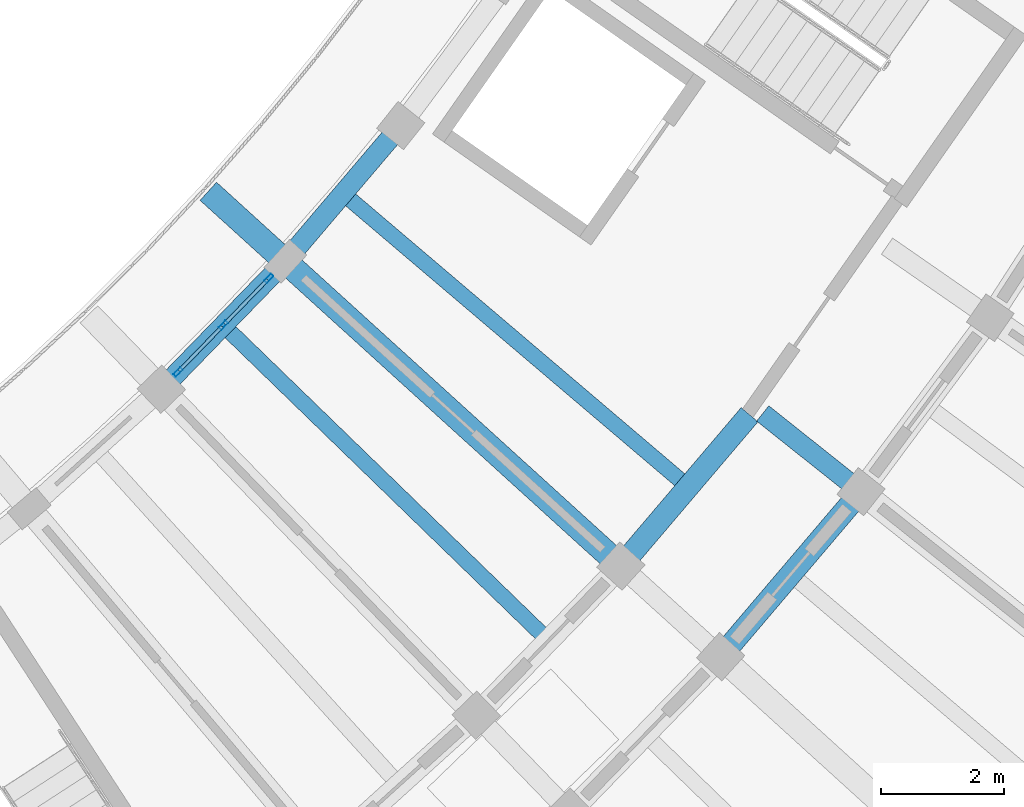
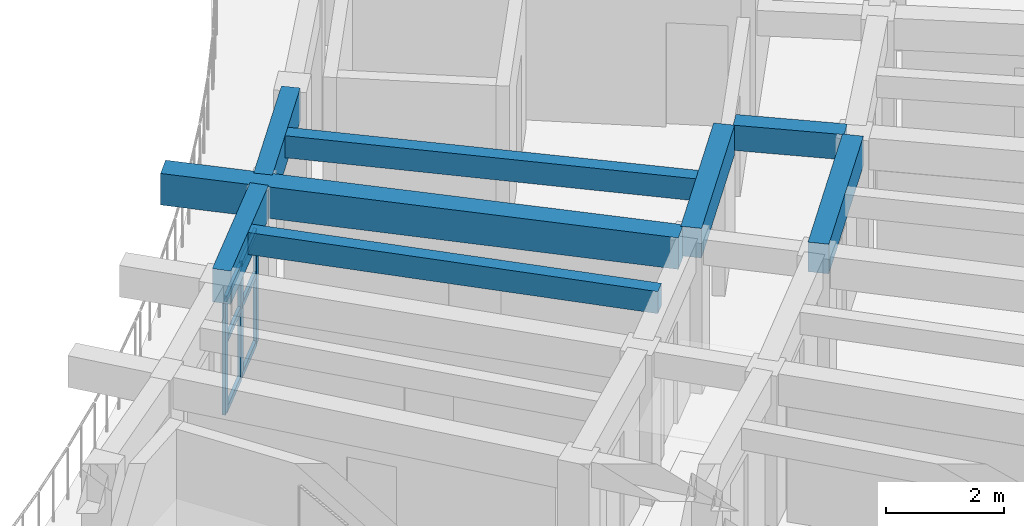
# One storey, part 29 of 96: 9 members, 8 beams, 1 element without a shape of its own.
"""IFC4 building model written with IfcOpenShell, lengths in metres."""

from ifc_helpers import new_model, si_unit, direction, frame, origin, origin_2d, place, context, subcontext, project, spatial, rectangle, hollow_rectangle, extrude, material, material_profile, profile_set, type_object, element, aggregate, save


model = new_model("IFC4")

# Units and contexts
model_context = context("Model", 3, precision=1e-05, world=origin(), true_north=direction((0.0, 1.0)))
body_context = subcontext(model_context, "Body", "Model", "MODEL_VIEW")
ifc_project = project(units=[si_unit("LENGTHUNIT", "METRE"), si_unit("AREAUNIT", "SQUARE_METRE"), si_unit("VOLUMEUNIT", "CUBIC_METRE"), si_unit("PLANEANGLEUNIT", "RADIAN"), si_unit("MASSUNIT", "GRAM", prefix="KILO")], contexts=[model_context])

# Site, building, storey
site_placement = place(None, origin())
site = spatial("IfcSite", under=ifc_project, at=site_placement, CompositionType="ELEMENT")
building_placement = place(site_placement, origin())
building = spatial("IfcBuilding", under=site, at=building_placement, Name="Tanwirah Colonnade Gardens", CompositionType="ELEMENT")
storey_placement = place(building_placement, frame((0.0, 0.0, 12.199951171875)))
storey = spatial("IfcBuildingStorey", under=building, at=storey_placement, Name="L03", CompositionType="ELEMENT", Elevation=12.199951171875)

# Beams
ifc_material_1 = material(Name="Precast concrete C40/50", Category="concrete")
ifc_material_profile_1 = material_profile(ifc_material_1, rectangle(XDim=0.360107421875, YDim=0.610107421875, at=origin_2d()), Name="PC-BM 360x610")
ifc_profile_set_1 = profile_set([ifc_material_profile_1], Name="Precast concrete C40/50")
beam_type_1 = type_object("IfcBeamType", Name="BM-PC300", PredefinedType="BEAM", material=ifc_profile_set_1)
beam_1_placement = place(storey_placement, frame((159.4775390625, 29.751953125, 2.800048828125), z_axis=(0.647730901566, 0.761869200819, 0.0), x_axis=(-0.761869200819, 0.647730901566, 0.0)))
element("IfcBeam", 1, at=beam_1_placement, inside=storey, type_object=beam_type_1, Name="Block D L03 Circumferential Beam 9-R1", PredefinedType="BEAM", context=body_context, shape_type="SweptSolid", body=[
    extrude(rectangle(XDim=0.360107421875, YDim=0.610107421875, at=origin_2d()), origin(), (0.0, 0.0, 1.0), 3.093017578125),
])
beam_2_placement = place(storey_placement, frame((161.10595703125, 28.27294921875, 2.800048828125), z_axis=(0.6478235549, 0.761790418499, 0.0), x_axis=(-0.761790418499, 0.6478235549, 0.0)))
element("IfcBeam", 2, at=beam_2_placement, inside=storey, type_object=beam_type_1, Name="Block D L03 Circumferential Beam 9-R2", PredefinedType="BEAM", context=body_context, shape_type="SweptSolid", body=[
    extrude(rectangle(XDim=0.360107421875, YDim=0.610107421875, at=origin_2d()), origin(), (0.0, 0.0, 1.0), 3.23681640625),
])
ifc_material_profile_2 = material_profile(ifc_material_1, rectangle(XDim=0.320068359375, YDim=0.52001953125, at=origin_2d()), Name="PC-BM 320x520")
ifc_profile_set_2 = profile_set([ifc_material_profile_2], Name="Precast concrete C40/50")
beam_type_2 = type_object("IfcBeamType", Name="BM-PC320", PredefinedType="BEAM", material=ifc_profile_set_2)
beam_3_placement = place(storey_placement, frame((161.695556640625, 32.129150390625, 2.844970703125), z_axis=(0.782670764896, -0.622435919415, 0.0), x_axis=(0.622435919415, 0.782670764896, 0.0)))
element("IfcBeam", 3, at=beam_3_placement, inside=storey, type_object=beam_type_2, Name="Block D L03 Corridor Tie Beam 10", PredefinedType="BEAM", context=body_context, shape_type="SweptSolid", body=[
    extrude(rectangle(XDim=0.320068359375, YDim=0.52001953125, at=origin_2d()), origin(), (0.0, 0.0, 1.0), 1.89990234375),
])
ifc_material_2 = material(Name="Precast concrete C45/55", Category="concrete")
ifc_material_profile_3 = material_profile(ifc_material_2, rectangle(XDim=0.39990234375, YDim=0.64990234375, at=origin_2d()), Name="PC-BM 400x650")
ifc_profile_set_3 = profile_set([ifc_material_profile_3], Name="Precast concrete C45/55")
beam_type_3 = type_object("IfcBeamType", Name="BM-PC400", PredefinedType="BEAM", material=ifc_profile_set_3)
beam_4_placement = place(storey_placement, frame((159.269287109375, 29.738525390625, 2.780029296875), z_axis=(-0.740212791446, 0.672372681911, 0.0), x_axis=(-0.672372681911, -0.740212791446, 0.0)))
element("IfcBeam", 4, at=beam_4_placement, inside=storey, type_object=beam_type_3, Name="Block D L03 Inner Radial Precast Girder 9", PredefinedType="BEAM", context=body_context, shape_type="SweptSolid", body=[
    extrude(rectangle(XDim=0.39990234375, YDim=0.64990234375, at=origin_2d()), origin(), (0.0, 0.0, 1.0), 8.9501953125),
])

# Curtain wall, members
ifc_material_3 = material(Name="Bronze-anodised aluminium and solar-control low-E glass", Category="aluminium")
curtain_wall_type = type_object("IfcCurtainWallType", Name="CW-GDN", PredefinedType="NOTDEFINED", material=ifc_material_3)
curtain_wall_placement = place(storey_placement, origin())
curtain_wall = element("IfcCurtainWall", 5, at=curtain_wall_placement, inside=storey, type_object=curtain_wall_type, Name="Curtain Wall CW-D-L03-IN-08", PredefinedType="NOTDEFINED")
ifc_material_4 = material(Name="Bronze-anodised aluminium", Category="aluminium")
ifc_material_profile_4 = material_profile(ifc_material_4, hollow_rectangle(XDim=0.06005859375, YDim=0.159912109375, WallThickness=0.00390625, at=origin_2d()), Name="CW-MUL 60x160x4")
ifc_profile_set_4 = profile_set([ifc_material_profile_4], Name="Bronze-anodised aluminium")
member_type_1 = type_object("IfcMemberType", Name="CWM-60x160", PredefinedType="MULLION", material=ifc_profile_set_4)
member_1_placement = place(storey_placement, frame((152.149169921875, 32.80517578125, 0.0), z_axis=(0.0, 0.0, 1.0), x_axis=(-0.717825107678, 0.696223466127, 0.0)))
member_1 = element("IfcMember", 6, at=member_1_placement, type_object=member_type_1, Name="CW-GDN mullion 1", PredefinedType="MULLION", context=body_context, shape_type="SweptSolid", body=[
    extrude(hollow_rectangle(XDim=0.06005859375, YDim=0.159912109375, WallThickness=0.00390625, at=origin_2d()), origin(), (0.0, 0.0, 1.0), 2.35498046875),
])
member_2_placement = place(storey_placement, frame((152.89013671875, 33.5693359375, 0.0), z_axis=(0.0, 0.0, 1.0), x_axis=(-0.717825107678, 0.696223466127, 0.0)))
member_2 = element("IfcMember", 7, at=member_2_placement, type_object=member_type_1, Name="CW-GDN mullion 2", PredefinedType="MULLION", context=body_context, shape_type="SweptSolid", body=[
    extrude(hollow_rectangle(XDim=0.06005859375, YDim=0.159912109375, WallThickness=0.00390625, at=origin_2d()), origin(), (0.0, 0.0, 1.0), 2.35498046875),
])
member_3_placement = place(storey_placement, frame((153.631103515625, 34.333251953125, 0.0), z_axis=(0.0, 0.0, 1.0), x_axis=(-0.717825107678, 0.696223466127, 0.0)))
member_3 = element("IfcMember", 8, at=member_3_placement, type_object=member_type_1, Name="CW-GDN mullion 3", PredefinedType="MULLION", context=body_context, shape_type="SweptSolid", body=[
    extrude(hollow_rectangle(XDim=0.06005859375, YDim=0.159912109375, WallThickness=0.00390625, at=origin_2d()), origin(), (0.0, 0.0, 1.0), 2.35498046875),
])
ifc_material_profile_5 = material_profile(ifc_material_4, hollow_rectangle(XDim=0.06005859375, YDim=0.1201171875, WallThickness=0.00390625, at=origin_2d()), Name="CW-TRN 60x120x4")
ifc_profile_set_5 = profile_set([ifc_material_profile_5], Name="Bronze-anodised aluminium")
member_type_2 = type_object("IfcMemberType", Name="CWT-60x120", PredefinedType="USERDEFINED", material=ifc_profile_set_5)
member_4_placement = place(storey_placement, frame((152.169921875, 32.826904296875, 0.030029296875), z_axis=(0.696206577043, 0.717841488131, 0.0), x_axis=(-0.717841488131, 0.696206577043, 0.0)))
member_4 = element("IfcMember", 9, at=member_4_placement, type_object=member_type_2, Name="CW-GDN transom 1.1", ObjectType="TRANSOM", PredefinedType="USERDEFINED", context=body_context, shape_type="SweptSolid", body=[
    extrude(hollow_rectangle(XDim=0.06005859375, YDim=0.1201171875, WallThickness=0.00390625, at=origin_2d()), origin(), (0.0, 0.0, 1.0), 1.00439453125),
])
member_5_placement = place(storey_placement, frame((152.169921875, 32.826904296875, 1.460205078125), z_axis=(0.696206577043, 0.717841488131, 0.0), x_axis=(-0.717841488131, 0.696206577043, 0.0)))
member_5 = element("IfcMember", 10, at=member_5_placement, type_object=member_type_2, Name="CW-GDN transom 1.2", ObjectType="TRANSOM", PredefinedType="USERDEFINED", context=body_context, shape_type="SweptSolid", body=[
    extrude(hollow_rectangle(XDim=0.06005859375, YDim=0.1201171875, WallThickness=0.00390625, at=origin_2d()), origin(), (0.0, 0.0, 1.0), 1.00439453125),
])
member_6_placement = place(storey_placement, frame((152.169921875, 32.826904296875, 2.324951171875), z_axis=(0.696206577043, 0.717841488131, 0.0), x_axis=(-0.717841488131, 0.696206577043, 0.0)))
member_6 = element("IfcMember", 11, at=member_6_placement, type_object=member_type_2, Name="CW-GDN transom 1.3", ObjectType="TRANSOM", PredefinedType="USERDEFINED", context=body_context, shape_type="SweptSolid", body=[
    extrude(hollow_rectangle(XDim=0.06005859375, YDim=0.1201171875, WallThickness=0.00390625, at=origin_2d()), origin(), (0.0, 0.0, 1.0), 1.00439453125),
])
member_7_placement = place(storey_placement, frame((152.9111328125, 33.5908203125, 0.030029296875), z_axis=(0.696206577043, 0.717841488131, 0.0), x_axis=(-0.717841488131, 0.696206577043, 0.0)))
member_7 = element("IfcMember", 12, at=member_7_placement, type_object=member_type_2, Name="CW-GDN transom 2.1", ObjectType="TRANSOM", PredefinedType="USERDEFINED", context=body_context, shape_type="SweptSolid", body=[
    extrude(hollow_rectangle(XDim=0.06005859375, YDim=0.1201171875, WallThickness=0.00390625, at=origin_2d()), origin(), (0.0, 0.0, 1.0), 1.00439453125),
])
member_8_placement = place(storey_placement, frame((152.9111328125, 33.5908203125, 1.460205078125), z_axis=(0.696206577043, 0.717841488131, 0.0), x_axis=(-0.717841488131, 0.696206577043, 0.0)))
member_8 = element("IfcMember", 13, at=member_8_placement, type_object=member_type_2, Name="CW-GDN transom 2.2", ObjectType="TRANSOM", PredefinedType="USERDEFINED", context=body_context, shape_type="SweptSolid", body=[
    extrude(hollow_rectangle(XDim=0.06005859375, YDim=0.1201171875, WallThickness=0.00390625, at=origin_2d()), origin(), (0.0, 0.0, 1.0), 1.00439453125),
])
member_9_placement = place(storey_placement, frame((152.9111328125, 33.5908203125, 2.324951171875), z_axis=(0.696206577043, 0.717841488131, 0.0), x_axis=(-0.717841488131, 0.696206577043, 0.0)))
member_9 = element("IfcMember", 14, at=member_9_placement, type_object=member_type_2, Name="CW-GDN transom 2.3", ObjectType="TRANSOM", PredefinedType="USERDEFINED", context=body_context, shape_type="SweptSolid", body=[
    extrude(hollow_rectangle(XDim=0.06005859375, YDim=0.1201171875, WallThickness=0.00390625, at=origin_2d()), origin(), (0.0, 0.0, 1.0), 1.00439453125),
])
aggregate(curtain_wall, [member_1, member_2, member_3, member_4, member_5, member_6, member_7, member_8, member_9])

# Beams
ifc_material_profile_6 = material_profile(ifc_material_1, rectangle(XDim=0.2548828125, YDim=0.455078125, at=origin_2d()), Name="PC-JST 255x455")
ifc_profile_set_6 = profile_set([ifc_material_profile_6], Name="Precast concrete C40/50")
beam_type_4 = type_object("IfcBeamType", Name="JST-PC240", PredefinedType="JOIST", material=ifc_profile_set_6)
beam_5_placement = place(storey_placement, frame((152.993408203125, 33.46923828125, 2.87744140625), z_axis=(0.717816218075, -0.69623263143, 0.0), x_axis=(0.69623263143, 0.717816218075, 0.0)))
element("IfcBeam", 15, at=beam_5_placement, inside=storey, type_object=beam_type_4, Name="Block D L03 Inner Precast Floor Joist 8", PredefinedType="JOIST", context=body_context, shape_type="SweptSolid", body=[
    extrude(rectangle(XDim=0.2548828125, YDim=0.455078125, at=origin_2d()), origin(), (0.0, 0.0, 1.0), 7.16015625),
])
beam_6_placement = place(storey_placement, frame((154.954345703125, 35.628173828125, 2.87744140625), z_axis=(0.761816472242, -0.647792916464, 0.0), x_axis=(0.647792916464, 0.761816472242, 0.0)))
element("IfcBeam", 16, at=beam_6_placement, inside=storey, type_object=beam_type_4, Name="Block D L03 Inner Precast Floor Joist 9", PredefinedType="JOIST", context=body_context, shape_type="SweptSolid", body=[
    extrude(rectangle(XDim=0.2548828125, YDim=0.455078125, at=origin_2d()), origin(), (0.0, 0.0, 1.0), 7.159912109375),
])
ifc_material_profile_7 = material_profile(ifc_material_1, rectangle(XDim=0.324951171875, YDim=0.68505859375, at=origin_2d()), Name="PC-SP 325x685")
ifc_profile_set_7 = profile_set([ifc_material_profile_7], Name="Precast concrete C40/50")
beam_type_5 = type_object("IfcBeamType", Name="SP-PC260", PredefinedType="SPANDREL", material=ifc_profile_set_7)
beam_7_placement = place(storey_placement, frame((151.98193359375, 32.633056640625, 2.762451171875), z_axis=(0.696262751108, 0.717787002822, 0.0), x_axis=(-0.717787002822, 0.696262751108, 0.0)))
element("IfcBeam", 17, at=beam_7_placement, inside=storey, type_object=beam_type_5, Name="Block D L03 Circumferential Beam 8-R0", PredefinedType="SPANDREL", context=body_context, shape_type="SweptSolid", body=[
    extrude(rectangle(XDim=0.324951171875, YDim=0.68505859375, at=origin_2d()), origin(), (0.0, 0.0, 1.0), 2.60888671875),
])
beam_8_placement = place(storey_placement, frame((153.999755859375, 34.7275390625, 2.762451171875), z_axis=(0.647811402053, 0.761800753065, 0.0), x_axis=(-0.761800753065, 0.647811402053, 0.0)))
element("IfcBeam", 18, at=beam_8_placement, inside=storey, type_object=beam_type_5, Name="Block D L03 Circumferential Beam 9-R0", PredefinedType="SPANDREL", context=body_context, shape_type="SweptSolid", body=[
    extrude(rectangle(XDim=0.324951171875, YDim=0.68505859375, at=origin_2d()), origin(), (0.0, 0.0, 1.0), 2.608642578125),
])

save(model, "model.ifc")
